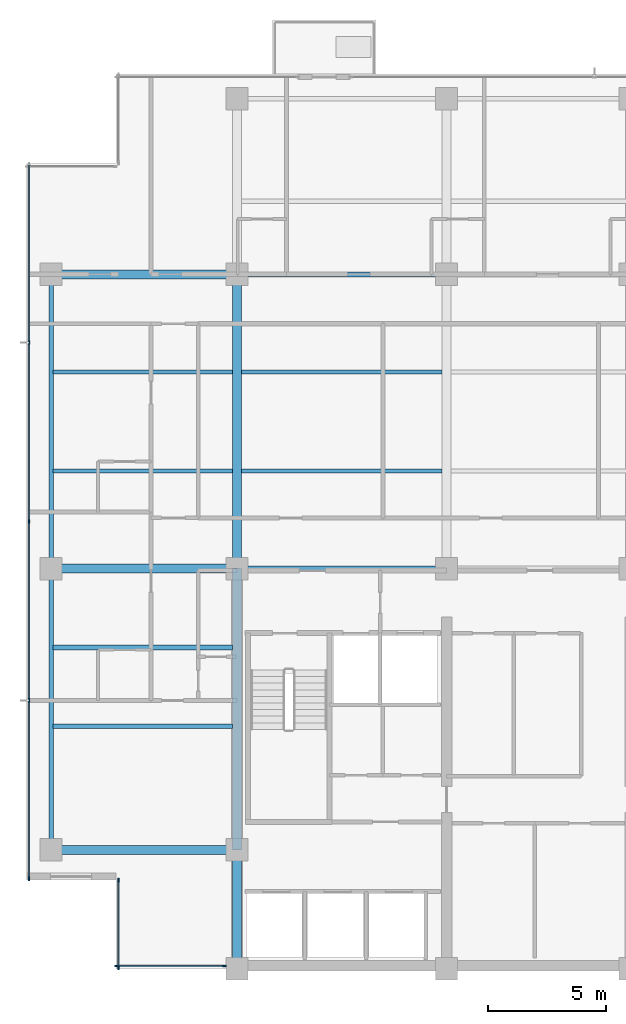
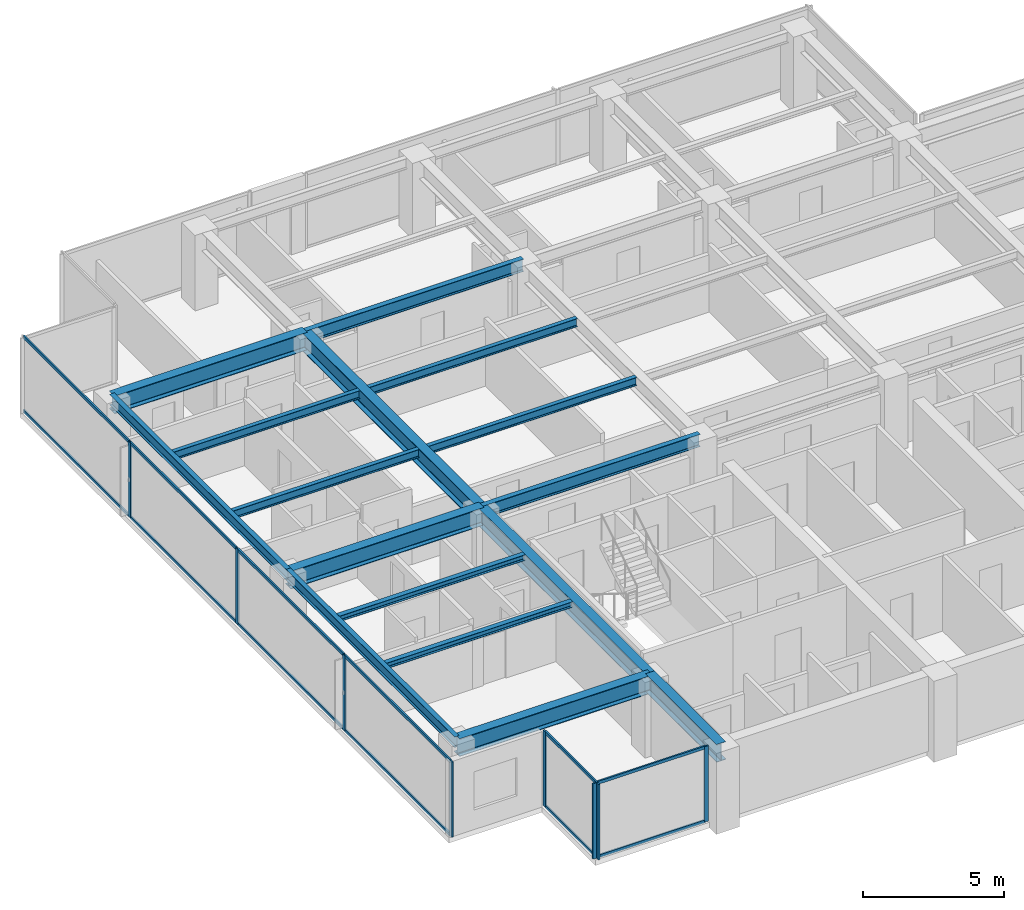
# One storey, part 2 of 14: 20 members, 16 beams, 3 elements without a shape of their own.
"""IFC4 building model written with IfcOpenShell, lengths in metres."""

from ifc_helpers import new_model, si_unit, direction, frame, origin, origin_2d, place, context, subcontext, project, spatial, rectangle, i_section, extrude, material, layer, layer_set, material_profile, profile_set, type_object, element, aggregate, save


model = new_model("IFC4")

# Units and contexts
model_context = context("Model", 3, precision=1e-05, world=origin(), true_north=direction((0.0, 1.0)))
body_context = subcontext(model_context, "Body", "Model", "MODEL_VIEW")
ifc_project = project(units=[si_unit("LENGTHUNIT", "METRE"), si_unit("AREAUNIT", "SQUARE_METRE"), si_unit("VOLUMEUNIT", "CUBIC_METRE"), si_unit("PLANEANGLEUNIT", "RADIAN"), si_unit("MASSUNIT", "GRAM", prefix="KILO")], contexts=[model_context])

# Site, building, storey
site_placement = place(None, origin())
site = spatial("IfcSite", under=ifc_project, at=site_placement, CompositionType="ELEMENT")
building_placement = place(site_placement, origin())
building = spatial("IfcBuilding", under=site, at=building_placement, Name="Qalmaran Belvedere Hotel", CompositionType="ELEMENT")
storey_placement = place(building_placement, frame((0.0, 0.0, 210.89990234375)))
storey = spatial("IfcBuildingStorey", under=building, at=storey_placement, Name="L53", CompositionType="ELEMENT", Elevation=210.89990234375)

# Beams
ifc_material_1 = material(Name="Steel S355JR", Category="steel")
ifc_material_profile_1 = material_profile(ifc_material_1, i_section(OverallWidth=0.201904296875, OverallDepth=0.2470703125, WebThickness=0.00732421875, FlangeThickness=0.010986328125, FilletRadius=0.011962890625, at=origin_2d()), Name="W250X49")
ifc_profile_set_1 = profile_set([ifc_material_profile_1], Name="Steel S355JR")
beam_type_1 = type_object("IfcBeamType", Name="BM-JST-W250X49", PredefinedType="JOIST", material=ifc_profile_set_1)
for number, where, z_axis, x_axis, name in (
    (1, (12.493896484375, 13.800048828125, 3.13671875), (1.0, 0.0, 0.0), (0.0, 1.0, 0.0), "L53 West Wing Joist 038"),
    (2, (12.493896484375, 17.14990234375, 3.13671875), (1.0, 0.0, 0.0), (0.0, 1.0, 0.0), "L53 West Wing Joist 040"),
):
    element("IfcBeam", number, at=place(storey_placement, frame(where, z_axis=z_axis, x_axis=x_axis)), inside=storey, type_object=beam_type_1, Name=name, PredefinedType="JOIST", context=body_context, shape_type="SweptSolid", body=[
        extrude(i_section(OverallWidth=0.201904296875, OverallDepth=0.2470703125, WebThickness=0.00732421875, FlangeThickness=0.010986328125, FilletRadius=0.011962890625, at=origin_2d()), origin(), (0.0, 0.0, 1.0), 7.61767578125),
    ])
ifc_material_profile_2 = material_profile(ifc_material_1, i_section(OverallWidth=0.381103515625, OverallDepth=0.77294921875, WebThickness=0.0166015625, FlangeThickness=0.027099609375, FilletRadius=0.02197265625, at=origin_2d()), Name="W760X257")
ifc_profile_set_2 = profile_set([ifc_material_profile_2], Name="Steel S355JR")
beam_type_2 = type_object("IfcBeamType", Name="BM-PG4-W760X257", PredefinedType="USERDEFINED", material=ifc_profile_set_2)
beam_1_placement = place(storey_placement, frame((20.300048828125, 20.5, 2.87353515625), z_axis=(0.0, 1.0, 0.0), x_axis=(-1.0, 0.0, 0.0)))
element("IfcBeam", 3, at=beam_1_placement, inside=storey, type_object=beam_type_2, Name="L53 Mid-Plate N-S Girder 14", ObjectType="GIRDER", PredefinedType="USERDEFINED", context=body_context, shape_type="SweptSolid", body=[
    extrude(i_section(OverallWidth=0.381103515625, OverallDepth=0.77294921875, WebThickness=0.0166015625, FlangeThickness=0.027099609375, FilletRadius=0.02197265625, at=origin_2d()), origin(), (0.0, 0.0, 1.0), 12.5),
])
for number, where, z_axis, x_axis, name in (
    (4, (12.39990234375, 8.550048828125, 2.87353515625), (1.0, 0.0, 0.0), (0.0, 1.0, 0.0), "L53 West Wing Girder 22"),
    (5, (12.39990234375, 20.5, 2.87353515625), (1.0, 0.0, 0.0), (0.0, 1.0, 0.0), "L53 West Wing Girder 23"),
    (6, (12.39990234375, 33.0, 2.87353515625), (1.0, 0.0, 0.0), (0.0, 1.0, 0.0), "L53 West Wing Girder 24"),
):
    element("IfcBeam", number, at=place(storey_placement, frame(where, z_axis=z_axis, x_axis=x_axis)), inside=storey, type_object=beam_type_2, Name=name, ObjectType="GIRDER", PredefinedType="USERDEFINED", context=body_context, shape_type="SweptSolid", body=[
        extrude(i_section(OverallWidth=0.381103515625, OverallDepth=0.77294921875, WebThickness=0.0166015625, FlangeThickness=0.027099609375, FilletRadius=0.02197265625, at=origin_2d()), origin(), (0.0, 0.0, 1.0), 7.900146484375),
    ])
beam_2_placement = place(storey_placement, frame((20.300048828125, 3.5, 2.87353515625), z_axis=(0.0, 1.0, 0.0), x_axis=(-1.0, 0.0, 0.0)))
element("IfcBeam", 7, at=beam_2_placement, inside=storey, type_object=beam_type_2, Name="L53 West Core Edge Girder A", ObjectType="GIRDER", PredefinedType="USERDEFINED", context=body_context, shape_type="SweptSolid", body=[
    extrude(i_section(OverallWidth=0.381103515625, OverallDepth=0.77294921875, WebThickness=0.0166015625, FlangeThickness=0.027099609375, FilletRadius=0.02197265625, at=origin_2d()), origin(), (0.0, 0.0, 1.0), 5.050048828125),
])
beam_3_placement = place(storey_placement, frame((20.300048828125, 8.550048828125, 2.87353515625), z_axis=(0.0, 1.0, 0.0), x_axis=(-1.0, 0.0, 0.0)))
element("IfcBeam", 8, at=beam_3_placement, inside=storey, type_object=beam_type_2, Name="L53 West Core Edge Girder B", ObjectType="GIRDER", PredefinedType="USERDEFINED", context=body_context, shape_type="SweptSolid", body=[
    extrude(i_section(OverallWidth=0.381103515625, OverallDepth=0.77294921875, WebThickness=0.0166015625, FlangeThickness=0.027099609375, FilletRadius=0.02197265625, at=origin_2d()), origin(), (0.0, 0.0, 1.0), 11.949951171875),
])
ifc_material_profile_3 = material_profile(ifc_material_1, i_section(OverallWidth=0.172119140625, OverallDepth=0.35791015625, WebThickness=0.0078125, FlangeThickness=0.01318359375, FilletRadius=0.014892578125, at=origin_2d()), Name="W360X57")
ifc_profile_set_3 = profile_set([ifc_material_profile_3], Name="Steel S355JR")
beam_type_3 = type_object("IfcBeamType", Name="BM-SB4-W360X57", PredefinedType="BEAM", material=ifc_profile_set_3)
beam_4_placement = place(storey_placement, frame((12.493896484375, 24.64990234375, 3.0810546875), z_axis=(1.0, 0.0, 0.0), x_axis=(0.0, 1.0, 0.0)))
element("IfcBeam", 9, at=beam_4_placement, inside=storey, type_object=beam_type_3, Name="L53 West Secondary Beam 028", PredefinedType="BEAM", context=body_context, shape_type="SweptSolid", body=[
    extrude(i_section(OverallWidth=0.172119140625, OverallDepth=0.35791015625, WebThickness=0.0078125, FlangeThickness=0.01318359375, FilletRadius=0.014892578125, at=origin_2d()), origin(), (0.0, 0.0, 1.0), 7.61767578125),
])
beam_5_placement = place(storey_placement, frame((20.488525390625, 24.64990234375, 3.0810546875), z_axis=(1.0, 0.0, 0.0), x_axis=(0.0, 1.0, 0.0)))
element("IfcBeam", 10, at=beam_5_placement, inside=storey, type_object=beam_type_3, Name="L53 Secondary Floor Beam 029", PredefinedType="BEAM", context=body_context, shape_type="SweptSolid", body=[
    extrude(i_section(OverallWidth=0.172119140625, OverallDepth=0.35791015625, WebThickness=0.0078125, FlangeThickness=0.01318359375, FilletRadius=0.014892578125, at=origin_2d()), origin(), (0.0, 0.0, 1.0), 8.52294921875),
])
beam_6_placement = place(storey_placement, frame((12.493896484375, 28.85009765625, 3.0810546875), z_axis=(1.0, 0.0, 0.0), x_axis=(0.0, 1.0, 0.0)))
element("IfcBeam", 11, at=beam_6_placement, inside=storey, type_object=beam_type_3, Name="L53 West Secondary Beam 033", PredefinedType="BEAM", context=body_context, shape_type="SweptSolid", body=[
    extrude(i_section(OverallWidth=0.172119140625, OverallDepth=0.35791015625, WebThickness=0.0078125, FlangeThickness=0.01318359375, FilletRadius=0.014892578125, at=origin_2d()), origin(), (0.0, 0.0, 1.0), 7.61767578125),
])
beam_7_placement = place(storey_placement, frame((20.488525390625, 28.85009765625, 3.0810546875), z_axis=(1.0, 0.0, 0.0), x_axis=(0.0, 1.0, 0.0)))
element("IfcBeam", 12, at=beam_7_placement, inside=storey, type_object=beam_type_3, Name="L53 Secondary Floor Beam 034", PredefinedType="BEAM", context=body_context, shape_type="SweptSolid", body=[
    extrude(i_section(OverallWidth=0.172119140625, OverallDepth=0.35791015625, WebThickness=0.0078125, FlangeThickness=0.01318359375, FilletRadius=0.014892578125, at=origin_2d()), origin(), (0.0, 0.0, 1.0), 8.52294921875),
])
ifc_material_profile_4 = material_profile(ifc_material_1, i_section(OverallWidth=0.19189453125, OverallDepth=0.462890625, WebThickness=0.010498046875, FlangeThickness=0.017578125, FilletRadius=0.01611328125, at=origin_2d()), Name="W460X89")
ifc_profile_set_4 = profile_set([ifc_material_profile_4], Name="Steel S355JR")
beam_type_4 = type_object("IfcBeamType", Name="BM-SP2-W460X89", PredefinedType="SPANDREL", material=ifc_profile_set_4)
beam_8_placement = place(storey_placement, frame((12.39990234375, 8.550048828125, 3.028564453125), z_axis=(0.0, 1.0, 0.0), x_axis=(-1.0, 0.0, 0.0)))
element("IfcBeam", 13, at=beam_8_placement, inside=storey, type_object=beam_type_4, Name="L53 Perimeter Spandrel 01", PredefinedType="SPANDREL", context=body_context, shape_type="SweptSolid", body=[
    extrude(i_section(OverallWidth=0.19189453125, OverallDepth=0.462890625, WebThickness=0.010498046875, FlangeThickness=0.017578125, FilletRadius=0.01611328125, at=origin_2d()), origin(), (0.0, 0.0, 1.0), 11.949951171875),
])
beam_9_placement = place(storey_placement, frame((12.39990234375, 20.5, 3.028564453125), z_axis=(0.0, 1.0, 0.0), x_axis=(-1.0, 0.0, 0.0)))
element("IfcBeam", 14, at=beam_9_placement, inside=storey, type_object=beam_type_4, Name="L53 Perimeter Spandrel 02", PredefinedType="SPANDREL", context=body_context, shape_type="SweptSolid", body=[
    extrude(i_section(OverallWidth=0.19189453125, OverallDepth=0.462890625, WebThickness=0.010498046875, FlangeThickness=0.017578125, FilletRadius=0.01611328125, at=origin_2d()), origin(), (0.0, 0.0, 1.0), 12.5),
])
ifc_material_profile_5 = material_profile(ifc_material_1, i_section(OverallWidth=0.2109375, OverallDepth=0.5390625, WebThickness=0.01171875, FlangeThickness=0.018798828125, FilletRadius=0.01806640625, at=origin_2d()), Name="W530X109")
ifc_profile_set_5 = profile_set([ifc_material_profile_5], Name="Steel S355JR")
beam_type_5 = type_object("IfcBeamType", Name="BM-Z4-W530X109", PredefinedType="USERDEFINED", material=ifc_profile_set_5)
for number, where, z_axis, x_axis, name in (
    (15, (20.300048828125, 20.5, 2.990478515625), (1.0, 0.0, 0.0), (0.0, 1.0, 0.0), "L53 Interior E-W Girder 08"),
    (16, (20.300048828125, 33.0, 2.990478515625), (1.0, 0.0, 0.0), (0.0, 1.0, 0.0), "L53 Interior E-W Girder 11"),
):
    element("IfcBeam", number, at=place(storey_placement, frame(where, z_axis=z_axis, x_axis=x_axis)), inside=storey, type_object=beam_type_5, Name=name, ObjectType="GIRDER", PredefinedType="USERDEFINED", context=body_context, shape_type="SweptSolid", body=[
        extrude(i_section(OverallWidth=0.2109375, OverallDepth=0.5390625, WebThickness=0.01171875, FlangeThickness=0.018798828125, FilletRadius=0.01806640625, at=origin_2d()), origin(), (0.0, 0.0, 1.0), 8.89990234375),
    ])

# Curtain wall, members
ifc_material_2 = material(Name="Anodised Bronze Aluminium", Category="aluminium")
ifc_layer = layer(ifc_material_2, 0.18994140625, Name="Anodised Bronze Aluminium")
ifc_layer_set = layer_set([ifc_layer], Name="Anodised Bronze Aluminium")
curtain_wall_type = type_object("IfcCurtainWallType", Name="CW5-TOWER-UPPER", PredefinedType="NOTDEFINED", material=ifc_layer_set)
curtain_wall_1_placement = place(storey_placement, origin())
curtain_wall_1 = element("IfcCurtainWall", 17, at=curtain_wall_1_placement, inside=storey, type_object=curtain_wall_type, Name="L53 Curtain Wall CW5", PredefinedType="NOTDEFINED")
ifc_material_profile_6 = material_profile(ifc_material_2, rectangle(XDim=0.06494140625, YDim=0.1650390625, at=origin_2d()), Name="CWM65X165")
ifc_profile_set_6 = profile_set([ifc_material_profile_6], Name="Anodised Bronze Aluminium")
member_type_1 = type_object("IfcMemberType", Name="CWM-65X165", PredefinedType="MULLION", material=ifc_profile_set_6)
member_1_placement = place(storey_placement, frame((15.1826171875, 3.6201171875, 0.0), z_axis=(0.0, 0.0, 1.0), x_axis=(0.0, 1.0, 0.0)))
member_1 = element("IfcMember", 18, at=member_1_placement, type_object=member_type_1, Name="CW5 mullion 1", PredefinedType="MULLION", context=body_context, shape_type="SweptSolid", body=[
    extrude(rectangle(XDim=0.06494140625, YDim=0.1650390625, at=origin_2d()), origin(), (0.0, 0.0, 1.0), 3.260009765625),
])
member_2_placement = place(storey_placement, frame((19.75244140625, 3.6201171875, 0.0), z_axis=(0.0, 0.0, 1.0), x_axis=(0.0, 1.0, 0.0)))
member_2 = element("IfcMember", 19, at=member_2_placement, type_object=member_type_1, Name="CW5 mullion 2", PredefinedType="MULLION", context=body_context, shape_type="SweptSolid", body=[
    extrude(rectangle(XDim=0.06494140625, YDim=0.1650390625, at=origin_2d()), origin(), (0.0, 0.0, 1.0), 3.260009765625),
])

curtain_wall_2_placement = place(storey_placement, origin())
curtain_wall_2 = element("IfcCurtainWall", 20, at=curtain_wall_2_placement, inside=storey, type_object=curtain_wall_type, Name="L53 Curtain Wall CW5", PredefinedType="NOTDEFINED")
member_3_placement = place(storey_placement, frame((11.469970703125, 30.10009765625, 0.0), z_axis=(0.0, 0.0, 1.0), x_axis=(1.0, 0.0, 0.0)))
member_3 = element("IfcMember", 21, at=member_3_placement, type_object=member_type_1, Name="CW5 mullion 2", PredefinedType="MULLION", context=body_context, shape_type="SweptSolid", body=[
    extrude(rectangle(XDim=0.06494140625, YDim=0.1650390625, at=origin_2d()), origin(), (0.0, 0.0, 1.0), 3.260009765625),
])
member_4_placement = place(storey_placement, frame((11.469970703125, 22.5, 0.0), z_axis=(0.0, 0.0, 1.0), x_axis=(1.0, 0.0, 0.0)))
member_4 = element("IfcMember", 22, at=member_4_placement, type_object=member_type_1, Name="CW5 mullion 3", PredefinedType="MULLION", context=body_context, shape_type="SweptSolid", body=[
    extrude(rectangle(XDim=0.06494140625, YDim=0.1650390625, at=origin_2d()), origin(), (0.0, 0.0, 1.0), 3.260009765625),
])
member_5_placement = place(storey_placement, frame((11.469970703125, 14.89990234375, 0.0), z_axis=(0.0, 0.0, 1.0), x_axis=(1.0, 0.0, 0.0)))
member_5 = element("IfcMember", 23, at=member_5_placement, type_object=member_type_1, Name="CW5 mullion 4", PredefinedType="MULLION", context=body_context, shape_type="SweptSolid", body=[
    extrude(rectangle(XDim=0.06494140625, YDim=0.1650390625, at=origin_2d()), origin(), (0.0, 0.0, 1.0), 3.260009765625),
])
member_6_placement = place(storey_placement, frame((11.469970703125, 7.33251953125, 0.0), z_axis=(0.0, 0.0, 1.0), x_axis=(1.0, 0.0, 0.0)))
member_6 = element("IfcMember", 24, at=member_6_placement, type_object=member_type_1, Name="CW5 mullion 5", PredefinedType="MULLION", context=body_context, shape_type="SweptSolid", body=[
    extrude(rectangle(XDim=0.06494140625, YDim=0.1650390625, at=origin_2d()), origin(), (0.0, 0.0, 1.0), 3.260009765625),
])

curtain_wall_3_placement = place(storey_placement, origin())
curtain_wall_3 = element("IfcCurtainWall", 25, at=curtain_wall_3_placement, inside=storey, type_object=curtain_wall_type, Name="L53 Curtain Wall CW5", PredefinedType="NOTDEFINED")
member_7_placement = place(storey_placement, frame((15.27001953125, 7.267578125, 0.0), z_axis=(0.0, 0.0, 1.0), x_axis=(1.0, 0.0, 0.0)))
member_7 = element("IfcMember", 26, at=member_7_placement, type_object=member_type_1, Name="CW5 mullion 1", PredefinedType="MULLION", context=body_context, shape_type="SweptSolid", body=[
    extrude(rectangle(XDim=0.06494140625, YDim=0.1650390625, at=origin_2d()), origin(), (0.0, 0.0, 1.0), 3.260009765625),
])
member_8_placement = place(storey_placement, frame((15.27001953125, 3.532470703125, 0.0), z_axis=(0.0, 0.0, 1.0), x_axis=(1.0, 0.0, 0.0)))
member_8 = element("IfcMember", 27, at=member_8_placement, type_object=member_type_1, Name="CW5 mullion 2", PredefinedType="MULLION", context=body_context, shape_type="SweptSolid", body=[
    extrude(rectangle(XDim=0.06494140625, YDim=0.1650390625, at=origin_2d()), origin(), (0.0, 0.0, 1.0), 3.260009765625),
])

# Member
ifc_material_profile_7 = material_profile(ifc_material_2, rectangle(XDim=0.06494140625, YDim=0.1298828125, at=origin_2d()), Name="CWT65X130")
ifc_profile_set_7 = profile_set([ifc_material_profile_7], Name="Anodised Bronze Aluminium")
member_type_2 = type_object("IfcMemberType", Name="CWT-65X130", PredefinedType="USERDEFINED", material=ifc_profile_set_7)
member_9_placement = place(storey_placement, frame((15.215087890625, 3.6201171875, 0.03271484375), z_axis=(1.0, 0.0, 0.0), x_axis=(0.0, 1.0, 0.0)))
member_9 = element("IfcMember", 28, at=member_9_placement, type_object=member_type_2, Name="CW5 transom 1.1", ObjectType="TRANSOM", PredefinedType="USERDEFINED", context=body_context, shape_type="SweptSolid", body=[
    extrude(rectangle(XDim=0.06494140625, YDim=0.1298828125, at=origin_2d()), origin(), (0.0, 0.0, 1.0), 4.5048828125),
])

member_10_placement = place(storey_placement, frame((15.215087890625, 3.6201171875, 3.2275390625), z_axis=(1.0, 0.0, 0.0), x_axis=(0.0, 1.0, 0.0)))
member_10 = element("IfcMember", 29, at=member_10_placement, type_object=member_type_2, Name="CW5 transom 1.2", ObjectType="TRANSOM", PredefinedType="USERDEFINED", context=body_context, shape_type="SweptSolid", body=[
    extrude(rectangle(XDim=0.06494140625, YDim=0.1298828125, at=origin_2d()), origin(), (0.0, 0.0, 1.0), 4.5048828125),
])

aggregate(curtain_wall_1, [member_1, member_2, member_9, member_10])

member_11_placement = place(storey_placement, frame((11.469970703125, 37.635009765625, 0.03271484375), z_axis=(0.0, -1.0, 0.0), x_axis=(1.0, 0.0, 0.0)))
member_11 = element("IfcMember", 30, at=member_11_placement, type_object=member_type_2, Name="CW5 transom 1.1", ObjectType="TRANSOM", PredefinedType="USERDEFINED", context=body_context, shape_type="SweptSolid", body=[
    extrude(rectangle(XDim=0.06494140625, YDim=0.1298828125, at=origin_2d()), origin(), (0.0, 0.0, 1.0), 7.50244140625),
])

member_12_placement = place(storey_placement, frame((11.469970703125, 37.635009765625, 3.2275390625), z_axis=(0.0, -1.0, 0.0), x_axis=(1.0, 0.0, 0.0)))
member_12 = element("IfcMember", 31, at=member_12_placement, type_object=member_type_2, Name="CW5 transom 1.2", ObjectType="TRANSOM", PredefinedType="USERDEFINED", context=body_context, shape_type="SweptSolid", body=[
    extrude(rectangle(XDim=0.06494140625, YDim=0.1298828125, at=origin_2d()), origin(), (0.0, 0.0, 1.0), 7.50244140625),
])

member_13_placement = place(storey_placement, frame((11.469970703125, 30.0673828125, 0.03271484375), z_axis=(0.0, -1.0, 0.0), x_axis=(1.0, 0.0, 0.0)))
member_13 = element("IfcMember", 32, at=member_13_placement, type_object=member_type_2, Name="CW5 transom 2.1", ObjectType="TRANSOM", PredefinedType="USERDEFINED", context=body_context, shape_type="SweptSolid", body=[
    extrude(rectangle(XDim=0.06494140625, YDim=0.1298828125, at=origin_2d()), origin(), (0.0, 0.0, 1.0), 7.534912109375),
])

member_14_placement = place(storey_placement, frame((11.469970703125, 30.0673828125, 3.2275390625), z_axis=(0.0, -1.0, 0.0), x_axis=(1.0, 0.0, 0.0)))
member_14 = element("IfcMember", 33, at=member_14_placement, type_object=member_type_2, Name="CW5 transom 2.2", ObjectType="TRANSOM", PredefinedType="USERDEFINED", context=body_context, shape_type="SweptSolid", body=[
    extrude(rectangle(XDim=0.06494140625, YDim=0.1298828125, at=origin_2d()), origin(), (0.0, 0.0, 1.0), 7.534912109375),
])

member_15_placement = place(storey_placement, frame((11.469970703125, 22.467529296875, 0.03271484375), z_axis=(0.0, -1.0, 0.0), x_axis=(1.0, 0.0, 0.0)))
member_15 = element("IfcMember", 34, at=member_15_placement, type_object=member_type_2, Name="CW5 transom 3.1", ObjectType="TRANSOM", PredefinedType="USERDEFINED", context=body_context, shape_type="SweptSolid", body=[
    extrude(rectangle(XDim=0.06494140625, YDim=0.1298828125, at=origin_2d()), origin(), (0.0, 0.0, 1.0), 7.534912109375),
])

member_16_placement = place(storey_placement, frame((11.469970703125, 22.467529296875, 3.2275390625), z_axis=(0.0, -1.0, 0.0), x_axis=(1.0, 0.0, 0.0)))
member_16 = element("IfcMember", 35, at=member_16_placement, type_object=member_type_2, Name="CW5 transom 3.2", ObjectType="TRANSOM", PredefinedType="USERDEFINED", context=body_context, shape_type="SweptSolid", body=[
    extrude(rectangle(XDim=0.06494140625, YDim=0.1298828125, at=origin_2d()), origin(), (0.0, 0.0, 1.0), 7.534912109375),
])

member_17_placement = place(storey_placement, frame((11.469970703125, 14.867431640625, 0.03271484375), z_axis=(0.0, -1.0, 0.0), x_axis=(1.0, 0.0, 0.0)))
member_17 = element("IfcMember", 36, at=member_17_placement, type_object=member_type_2, Name="CW5 transom 4.1", ObjectType="TRANSOM", PredefinedType="USERDEFINED", context=body_context, shape_type="SweptSolid", body=[
    extrude(rectangle(XDim=0.06494140625, YDim=0.1298828125, at=origin_2d()), origin(), (0.0, 0.0, 1.0), 7.50244140625),
])

member_18_placement = place(storey_placement, frame((11.469970703125, 14.867431640625, 3.2275390625), z_axis=(0.0, -1.0, 0.0), x_axis=(1.0, 0.0, 0.0)))
member_18 = element("IfcMember", 37, at=member_18_placement, type_object=member_type_2, Name="CW5 transom 4.2", ObjectType="TRANSOM", PredefinedType="USERDEFINED", context=body_context, shape_type="SweptSolid", body=[
    extrude(rectangle(XDim=0.06494140625, YDim=0.1298828125, at=origin_2d()), origin(), (0.0, 0.0, 1.0), 7.50244140625),
])

aggregate(curtain_wall_2, [member_3, member_4, member_5, member_6, member_11, member_12, member_13, member_14, member_15, member_16, member_17, member_18])

member_19_placement = place(storey_placement, frame((15.27001953125, 7.235107421875, 0.03271484375), z_axis=(0.0, -1.0, 0.0), x_axis=(1.0, 0.0, 0.0)))
member_19 = element("IfcMember", 38, at=member_19_placement, type_object=member_type_2, Name="CW5 transom 1.1", ObjectType="TRANSOM", PredefinedType="USERDEFINED", context=body_context, shape_type="SweptSolid", body=[
    extrude(rectangle(XDim=0.06494140625, YDim=0.1298828125, at=origin_2d()), origin(), (0.0, 0.0, 1.0), 3.670166015625),
])

member_20_placement = place(storey_placement, frame((15.27001953125, 7.235107421875, 3.2275390625), z_axis=(0.0, -1.0, 0.0), x_axis=(1.0, 0.0, 0.0)))
member_20 = element("IfcMember", 39, at=member_20_placement, type_object=member_type_2, Name="CW5 transom 1.2", ObjectType="TRANSOM", PredefinedType="USERDEFINED", context=body_context, shape_type="SweptSolid", body=[
    extrude(rectangle(XDim=0.06494140625, YDim=0.1298828125, at=origin_2d()), origin(), (0.0, 0.0, 1.0), 3.670166015625),
])

aggregate(curtain_wall_3, [member_7, member_8, member_19, member_20])

save(model, "model.ifc")
